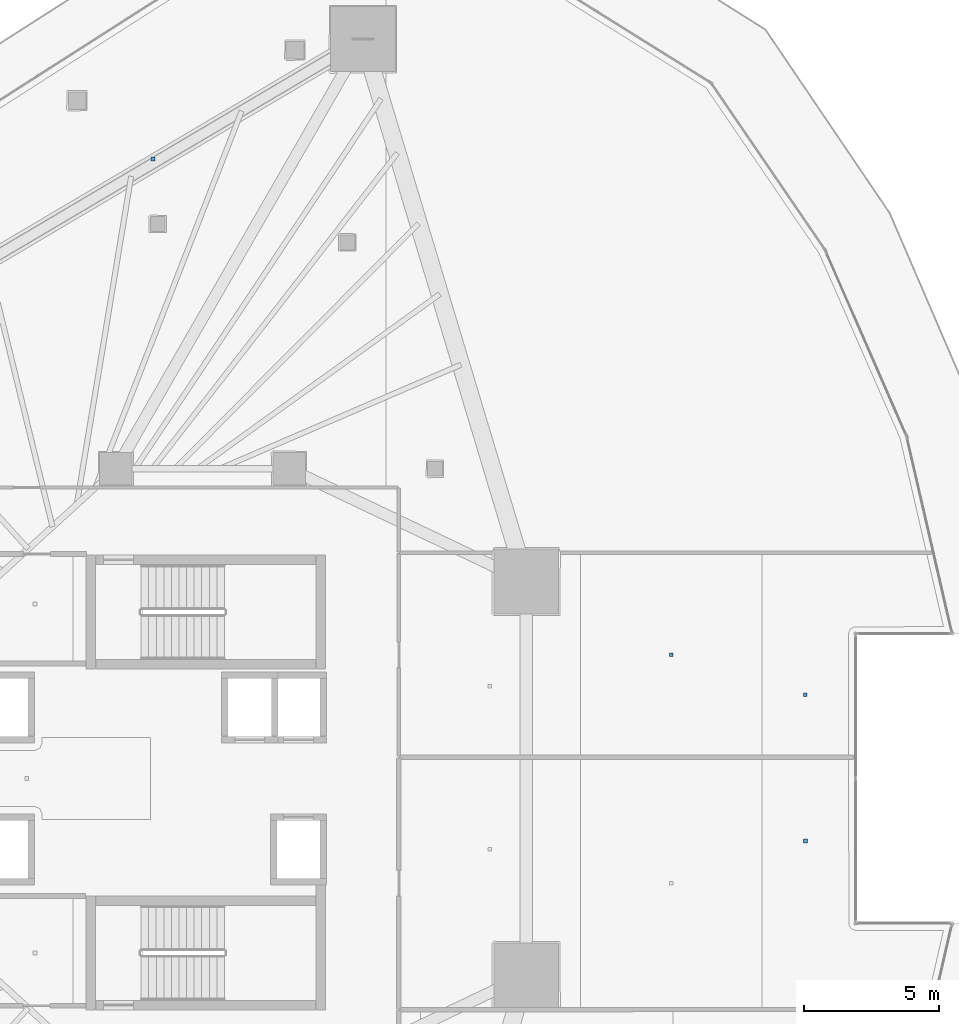
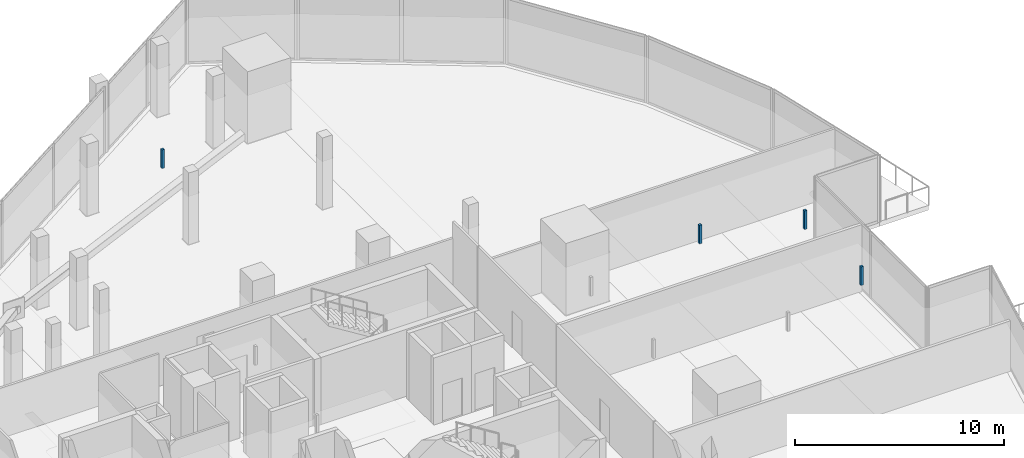
# One storey, part 35 of 45: 4 discrete accessories.
"""IFC4 building model written with IfcOpenShell, lengths in metres."""

from ifc_helpers import new_model, si_unit, direction, frame, origin, origin_2d, place, context, subcontext, project, spatial, rectangle, extrude, material, type_object, element, save


model = new_model("IFC4")

# Units and contexts
model_context = context("Model", 3, precision=1e-05, world=origin(), true_north=direction((0.0, 1.0)))
body_context = subcontext(model_context, "Body", "Model", "MODEL_VIEW")
ifc_project = project(units=[si_unit("LENGTHUNIT", "METRE"), si_unit("AREAUNIT", "SQUARE_METRE"), si_unit("VOLUMEUNIT", "CUBIC_METRE"), si_unit("PLANEANGLEUNIT", "RADIAN"), si_unit("MASSUNIT", "GRAM", prefix="KILO")], contexts=[model_context])

# Site, building, storey
site_placement = place(None, origin())
site = spatial("IfcSite", under=ifc_project, at=site_placement, CompositionType="ELEMENT")
building_placement = place(site_placement, origin())
building = spatial("IfcBuilding", under=site, at=building_placement, Name="Qorvath Tower", CompositionType="ELEMENT")
storey_placement = place(building_placement, frame((0.0, 0.0, 49.199951171875)))
storey = spatial("IfcBuildingStorey", under=building, at=storey_placement, Name="L10", CompositionType="ELEMENT", Elevation=49.199951171875)

# Discrete accessories
ifc_material = material(Name="Galvanised steel bracket", Category="steel")
discrete_accessory_type = type_object("IfcDiscreteAccessoryType", Name="DA-BRACKET", PredefinedType="BRACKET", material=ifc_material)
for number, where, z_axis, x_axis, name in (
    (1, (-22.226318359375, 22.900390625, 2.85986328125), (0.0, 0.0, 1.0), (1.0, 0.0, 0.0), "Acoustic Ceiling Suspension Hanger T1-L10-009"),
    (2, (1.886962890625, -2.3095703125, 2.85986328125), (0.0, 0.0, 1.0), (1.0, 0.0, 0.0), "Acoustic Ceiling Suspension Hanger T1-L10-022"),
    (3, (-3.071533203125, 4.570556640625, 2.85986328125), (0.0, 0.0, 1.0), (1.0, 0.0, 0.0), "Acoustic Ceiling Suspension Hanger T1-L10-024"),
    (4, (1.885986328125, 3.0927734375, 2.85986328125), (0.0, 0.0, 1.0), (1.0, 0.0, 0.0), "Acoustic Ceiling Suspension Hanger T1-L10-025"),
):
    element("IfcDiscreteAccessory", number, at=place(storey_placement, frame(where, z_axis=z_axis, x_axis=x_axis)), inside=storey, type_object=discrete_accessory_type, Name=name, PredefinedType="NOTDEFINED", context=body_context, shape_type="SweptSolid", body=[
        extrude(rectangle(XDim=0.139892578125, YDim=0.139892578125, at=origin_2d()), origin(), (0.0, 0.0, 1.0), 1.090087890625),
    ])

save(model, "model.ifc")
